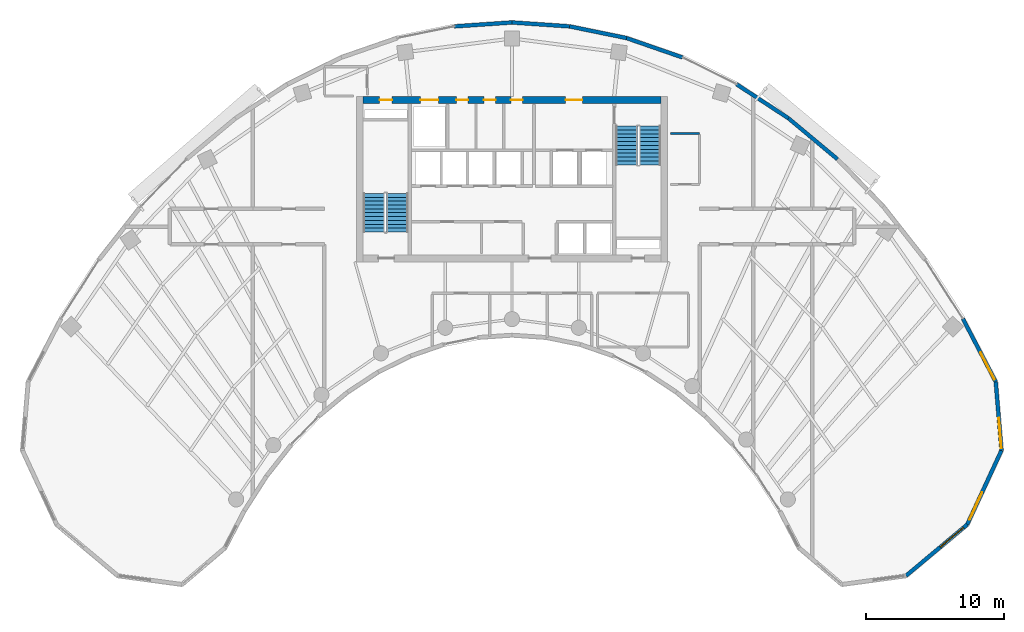
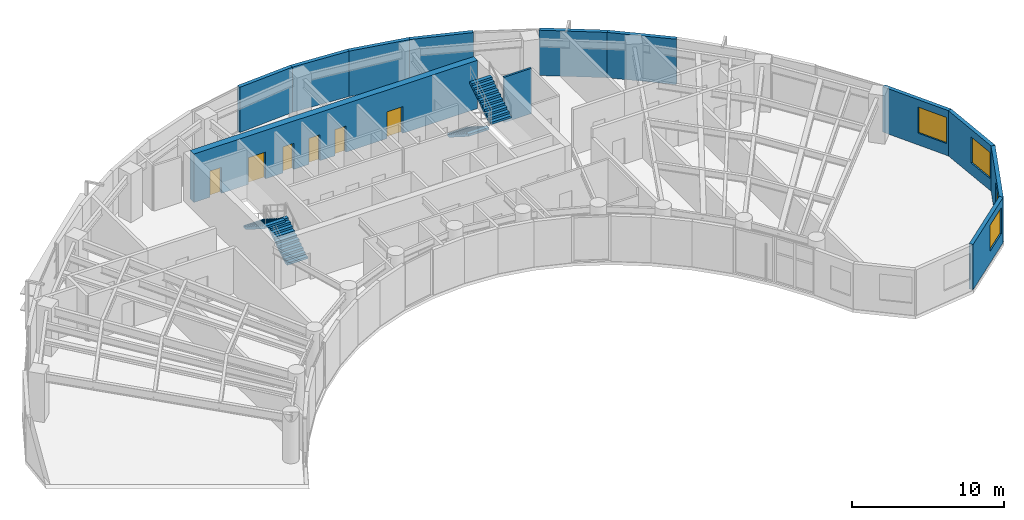
# One storey, part 11 of 14: 12 walls, 6 doors, 4 stair flights, 4 windows, 10 openings, 2 elements without a shape of their own.
"""IFC4 building model written with IfcOpenShell, lengths in metres."""

from ifc_helpers import new_model, si_unit, direction, frame, frame_2d, origin, place, context, subcontext, project, spatial, polyline, rectangle, outline, extrude, source, transform, mapped, material, layer, layer_set, type_object, type_shapes, element, fill, aggregate, save


model = new_model("IFC4")

# Units and contexts
model_context = context("Model", 3, precision=1e-05, world=origin(), true_north=direction((0.0, 1.0)))
body_context = subcontext(model_context, "Body", "Model", "MODEL_VIEW")
ifc_project = project(units=[si_unit("LENGTHUNIT", "METRE"), si_unit("AREAUNIT", "SQUARE_METRE"), si_unit("VOLUMEUNIT", "CUBIC_METRE"), si_unit("PLANEANGLEUNIT", "RADIAN"), si_unit("MASSUNIT", "GRAM", prefix="KILO")], contexts=[model_context])

# Site, building, storey
site_placement = place(None, origin())
site = spatial("IfcSite", under=ifc_project, at=site_placement, CompositionType="ELEMENT")
building_placement = place(site_placement, origin())
building = spatial("IfcBuilding", under=site, at=building_placement, Name="Breltana Convention Tower", CompositionType="ELEMENT")
storey_placement = place(building_placement, frame((0.0, 0.0, 177.89990234375)))
storey = spatial("IfcBuildingStorey", under=building, at=storey_placement, Name="L43", CompositionType="ELEMENT", Elevation=177.89990234375)

# Wall, openings, doors
ifc_material_1 = material(Name="Concrete C60/75", Category="concrete")
ifc_layer_1 = layer(ifc_material_1, 0.5, Name="Concrete C60/75")
ifc_layer_set_1 = layer_set([ifc_layer_1], Name="Concrete C60/75")
wall_type_1 = type_object("IfcWallType", Name="SW-CORE-500", PredefinedType="SHEAR", material=ifc_layer_set_1)
shared_shape_1 = source(origin(), body_context, "Body", "SweptSolid", [
    extrude(rectangle(XDim=21.60009765625, YDim=0.5, at=frame_2d((10.800048828125, 0.0))), origin(), (0.0, 0.0, 1.0), 3.900146484375),
])
wall_1_placement = place(storey_placement, frame((37.199951171875, 71.949951171875, 0.0), z_axis=(0.0, 0.0, 1.0), x_axis=(1.0, 0.0, 0.0)))
wall_1 = element("IfcWall", 1, at=wall_1_placement, inside=storey, type_object=wall_type_1, Name="L43 North Core Shear Wall", PredefinedType="SHEAR", context=body_context, shape_type="MappedRepresentation", body=[
    mapped(shared_shape_1, transform((0.0, 0.0, 0.0), scale=1.0)),
])
opening_1_placement = place(wall_1_placement, frame((1.199951171875, 0.0, 0.0)))
opening_1 = element("IfcOpeningElement", 2, at=opening_1_placement, cuts=wall_1, Name="Opening D-18", PredefinedType="OPENING", context=body_context, shape_type="SweptSolid", body=[
    extrude(rectangle(XDim=0.89990234375, YDim=2.10009765625, at=frame_2d((0.449951171875, 1.050048828125))), frame((0.0, 0.260009765625, 0.0), z_axis=(0.0, -1.0, 0.0), x_axis=(1.0, 0.0, 0.0)), (0.0, 0.0, 1.0), 0.52001953125),
])
opening_2_placement = place(wall_1_placement, frame((14.699951171875, 0.0, 0.0)))
opening_2 = element("IfcOpeningElement", 3, at=opening_2_placement, cuts=wall_1, Name="Opening D-09", PredefinedType="OPENING", context=body_context, shape_type="SweptSolid", body=[
    extrude(rectangle(XDim=1.199951171875, YDim=2.14990234375, at=frame_2d((0.60009765625, 1.074951171875))), frame((0.0, 0.260009765625, 0.0), z_axis=(0.0, -1.0, 0.0), x_axis=(1.0, 0.0, 0.0)), (0.0, 0.0, 1.0), 0.52001953125),
])
opening_3_placement = place(wall_1_placement, frame((4.14990234375, 0.0, 0.0)))
opening_3 = element("IfcOpeningElement", 4, at=opening_3_placement, cuts=wall_1, Name="Opening LD-01", PredefinedType="OPENING", context=body_context, shape_type="SweptSolid", body=[
    extrude(rectangle(XDim=1.300048828125, YDim=2.14990234375, at=frame_2d((0.64990234375, 1.074951171875))), frame((0.0, 0.260009765625, 0.0), z_axis=(0.0, -1.0, 0.0), x_axis=(1.0, 0.0, 0.0)), (0.0, 0.0, 1.0), 0.52001953125),
])
opening_4_placement = place(wall_1_placement, frame((6.760009765625, 0.0, 0.0)))
opening_4 = element("IfcOpeningElement", 5, at=opening_4_placement, cuts=wall_1, Name="Opening D-20", PredefinedType="OPENING", context=body_context, shape_type="SweptSolid", body=[
    extrude(rectangle(XDim=0.85009765625, YDim=2.10009765625, at=frame_2d((0.425048828125, 1.050048828125))), frame((0.0, 0.260009765625, 0.0), z_axis=(0.0, -1.0, 0.0), x_axis=(1.0, 0.0, 0.0)), (0.0, 0.0, 1.0), 0.52001953125),
])
opening_5_placement = place(wall_1_placement, frame((8.760009765625, 0.0, 0.0)))
opening_5 = element("IfcOpeningElement", 6, at=opening_5_placement, cuts=wall_1, Name="Opening D-20", PredefinedType="OPENING", context=body_context, shape_type="SweptSolid", body=[
    extrude(rectangle(XDim=0.85009765625, YDim=2.10009765625, at=frame_2d((0.425048828125, 1.050048828125))), frame((0.0, 0.260009765625, 0.0), z_axis=(0.0, -1.0, 0.0), x_axis=(1.0, 0.0, 0.0)), (0.0, 0.0, 1.0), 0.52001953125),
])
opening_6_placement = place(wall_1_placement, frame((10.72509765625, 0.0, 0.0)))
opening_6 = element("IfcOpeningElement", 7, at=opening_6_placement, cuts=wall_1, Name="Opening D-20", PredefinedType="OPENING", context=body_context, shape_type="SweptSolid", body=[
    extrude(rectangle(XDim=0.85009765625, YDim=2.10009765625, at=frame_2d((0.425048828125, 1.050048828125))), frame((0.0, 0.260009765625, 0.0), z_axis=(0.0, -1.0, 0.0), x_axis=(1.0, 0.0, 0.0)), (0.0, 0.0, 1.0), 0.52001953125),
])
ifc_material_2 = material(Name="Steel Riser Fire Door", Category="steel")
door_type_1 = type_object("IfcDoorType", Name="DR-FD60-900", OperationType="NOTDEFINED", PredefinedType="DOOR", material=ifc_material_2)
shared_shape_2 = source(origin(), body_context, "Body", "SweptSolid", [
    extrude(rectangle(XDim=0.89990234375, YDim=2.10009765625, at=frame_2d((0.449951171875, 1.050048828125))), frame((0.0, 0.02490234375, 0.0), z_axis=(0.0, -1.0, 0.0), x_axis=(1.0, 0.0, 0.0)), (0.0, 0.0, 1.0), 0.050048828125),
])
type_shapes(door_type_1, [shared_shape_2])
door_1_placement = place(opening_1_placement, origin())
door_1 = element("IfcDoor", 8, at=door_1_placement, inside=storey, type_object=door_type_1, Name="L43 Core Riser Access Door D-L43-RS1", OperationType="SINGLE_SWING_LEFT", OverallHeight=2.10009765625, OverallWidth=0.89990234375, PredefinedType="DOOR", context=body_context, shape_type="MappedRepresentation", body=[
    mapped(shared_shape_2, transform((0.0, 0.0, 0.0), scale=1.0)),
])
fill(opening_1, door_1)
ifc_material_3 = material(Name="Steel Fire Lobby Door", Category="steel")
door_type_2 = type_object("IfcDoorType", Name="DR-FD120-1200", OperationType="NOTDEFINED", PredefinedType="DOOR", material=ifc_material_3)
shared_shape_3 = source(origin(), body_context, "Body", "SweptSolid", [
    extrude(rectangle(XDim=1.199951171875, YDim=2.14990234375, at=frame_2d((0.60009765625, 1.074951171875))), frame((0.0, 0.02490234375, 0.0), z_axis=(0.0, -1.0, 0.0), x_axis=(1.0, 0.0, 0.0)), (0.0, 0.0, 1.0), 0.050048828125),
])
type_shapes(door_type_2, [shared_shape_3])
door_2_placement = place(opening_2_placement, origin())
door_2 = element("IfcDoor", 9, at=door_2_placement, inside=storey, type_object=door_type_2, Name="L43 interior door D-L43-FFL-N", OperationType="SINGLE_SWING_RIGHT", OverallHeight=2.14990234375, OverallWidth=1.199951171875, PredefinedType="DOOR", context=body_context, shape_type="MappedRepresentation", body=[
    mapped(shared_shape_3, transform((0.0, 0.0, 0.0), scale=1.0)),
])
fill(opening_2, door_2)
ifc_material_4 = material(Name="Stainless Steel Brushed", Category="steel")
door_type_3 = type_object("IfcDoorType", Name="DR-LD-SRV-1300", OperationType="DOUBLE_DOOR_SLIDING", PredefinedType="DOOR", material=ifc_material_4)
shared_shape_4 = source(origin(), body_context, "Body", "SweptSolid", [
    extrude(rectangle(XDim=1.300048828125, YDim=2.14990234375, at=frame_2d((0.64990234375, 1.074951171875))), frame((0.0, 0.02490234375, 0.0), z_axis=(0.0, -1.0, 0.0), x_axis=(1.0, 0.0, 0.0)), (0.0, 0.0, 1.0), 0.050048828125),
])
type_shapes(door_type_3, [shared_shape_4])
door_3_placement = place(opening_3_placement, origin())
door_3 = element("IfcDoor", 10, at=door_3_placement, inside=storey, type_object=door_type_3, Name="L43 Lift Landing Door D-L43-LD-SV1", OperationType="DOUBLE_DOOR_SLIDING", OverallHeight=2.14990234375, OverallWidth=1.300048828125, PredefinedType="DOOR", context=body_context, shape_type="MappedRepresentation", body=[
    mapped(shared_shape_4, transform((0.0, 0.0, 0.0), scale=1.0)),
])
fill(opening_3, door_3)
ifc_material_5 = material(Name="Steel Closet Fire Door", Category="steel")
door_type_4 = type_object("IfcDoorType", Name="DR-FD60-850", OperationType="NOTDEFINED", PredefinedType="DOOR", material=ifc_material_5)
shared_shape_5 = source(origin(), body_context, "Body", "SweptSolid", [
    extrude(rectangle(XDim=0.85009765625, YDim=2.10009765625, at=frame_2d((0.425048828125, 1.050048828125))), frame((0.0, 0.02490234375, 0.0), z_axis=(0.0, -1.0, 0.0), x_axis=(1.0, 0.0, 0.0)), (0.0, 0.0, 1.0), 0.050048828125),
])
type_shapes(door_type_4, [shared_shape_5])
door_4_placement = place(opening_4_placement, origin())
door_4 = element("IfcDoor", 11, at=door_4_placement, inside=storey, type_object=door_type_4, Name="L43 interior door D-L43-CRA1", OperationType="SINGLE_SWING_LEFT", OverallHeight=2.10009765625, OverallWidth=0.85009765625, PredefinedType="DOOR", context=body_context, shape_type="MappedRepresentation", body=[
    mapped(shared_shape_5, transform((0.0, 0.0, 0.0), scale=1.0)),
])
fill(opening_4, door_4)
door_5_placement = place(opening_5_placement, origin())
door_5 = element("IfcDoor", 12, at=door_5_placement, inside=storey, type_object=door_type_4, Name="L43 interior door D-L43-CRA2", OperationType="SINGLE_SWING_RIGHT", OverallHeight=2.10009765625, OverallWidth=0.85009765625, PredefinedType="DOOR", context=body_context, shape_type="MappedRepresentation", body=[
    mapped(shared_shape_5, transform((0.0, 0.0, 0.0), scale=1.0)),
])
fill(opening_5, door_5)
door_6_placement = place(opening_6_placement, origin())
door_6 = element("IfcDoor", 13, at=door_6_placement, inside=storey, type_object=door_type_4, Name="L43 interior door D-L43-CRA3", OperationType="SINGLE_SWING_LEFT", OverallHeight=2.10009765625, OverallWidth=0.85009765625, PredefinedType="DOOR", context=body_context, shape_type="MappedRepresentation", body=[
    mapped(shared_shape_5, transform((0.0, 0.0, 0.0), scale=1.0)),
])
fill(opening_6, door_6)

# Wall, opening, window
ifc_material_6 = material(Name="Limestone Buff Insulated Wall", Category="masonry")
ifc_layer_2 = layer(ifc_material_6, 0.280029296875, Name="Limestone Buff Insulated Wall")
ifc_layer_set_2 = layer_set([ifc_layer_2], Name="Limestone Buff Insulated Wall")
wall_type_2 = type_object("IfcWallType", Name="WL-EXT-NOSE-280", PredefinedType="SOLIDWALL", material=ifc_layer_set_2)
shared_shape_6 = source(origin(), body_context, "Body", "SweptSolid", [
    extrude(rectangle(XDim=4.994384765625, YDim=0.280029296875, at=frame_2d((2.4970703125, 0.0))), origin(), (0.0, 0.0, 1.0), 3.650146484375),
])
wall_2_placement = place(storey_placement, frame((83.102294921875, 51.48876953125, 0.0), z_axis=(0.0, 0.0, 1.0), x_axis=(0.083344839916, -0.996520766296, 0.0)))
wall_2 = element("IfcWall", 14, at=wall_2_placement, inside=storey, type_object=wall_type_2, Name="L43 curved limestone nose wall E1", PredefinedType="SOLIDWALL", context=body_context, shape_type="MappedRepresentation", body=[
    mapped(shared_shape_6, transform((0.0, 0.0, 0.0), scale=1.0)),
])
opening_7_placement = place(wall_2_placement, frame((2.634521484375, 0.0, 0.949951171875)))
opening_7 = element("IfcOpeningElement", 15, at=opening_7_placement, cuts=wall_2, Name="Opening W-03", PredefinedType="OPENING", context=body_context, shape_type="SweptSolid", body=[
    extrude(rectangle(XDim=2.199951171875, YDim=2.10009765625, at=frame_2d((1.10009765625, 1.050048828125))), frame((0.0, 0.14990234375, 0.0), z_axis=(0.0, -1.0, 0.0), x_axis=(1.0, 0.0, 0.0)), (0.0, 0.0, 1.0), 0.300048828125),
])
ifc_material_7 = material(Name="Glass Low-E Insulated Window", Category="glass")
window_type = type_object("IfcWindowType", Name="WN-NOSE-2200X2100", PartitioningType="TRIPLE_PANEL_VERTICAL", PredefinedType="WINDOW", material=ifc_material_7)
shared_shape_7 = source(origin(), body_context, "Body", "SweptSolid", [
    extrude(rectangle(XDim=2.199951171875, YDim=2.10009765625, at=frame_2d((1.10009765625, 1.050048828125))), frame((0.0, 0.030029296875, 0.0), z_axis=(0.0, -1.0, 0.0), x_axis=(1.0, 0.0, 0.0)), (0.0, 0.0, 1.0), 0.06005859375),
])
type_shapes(window_type, [shared_shape_7])
window_1_placement = place(opening_7_placement, origin())
window_1 = element("IfcWindow", 16, at=window_1_placement, inside=storey, type_object=window_type, Name="L43 nose window E1", OverallHeight=2.10009765625, OverallWidth=2.199951171875, PartitioningType="TRIPLE_PANEL_VERTICAL", PredefinedType="WINDOW", context=body_context, shape_type="MappedRepresentation", body=[
    mapped(shared_shape_7, transform((0.0, 0.0, 0.0), scale=1.0)),
])
fill(opening_7, window_1)

shared_shape_8 = source(origin(), body_context, "Body", "SweptSolid", [
    extrude(rectangle(XDim=5.927490234375, YDim=0.280029296875, at=frame_2d((2.9638671875, 0.0))), origin(), (0.0, 0.0, 1.0), 3.650146484375),
])
wall_3_placement = place(storey_placement, frame((83.5185546875, 46.51171875, 0.0), z_axis=(0.0, 0.0, 1.0), x_axis=(-0.419656204795, -0.907683132914, 0.0)))
wall_3 = element("IfcWall", 17, at=wall_3_placement, inside=storey, type_object=wall_type_2, Name="L43 curved limestone nose wall E2", PredefinedType="SOLIDWALL", context=body_context, shape_type="MappedRepresentation", body=[
    mapped(shared_shape_8, transform((0.0, 0.0, 0.0), scale=1.0)),
])
opening_8_placement = place(wall_3_placement, frame((3.345703125, 0.0, 0.949951171875)))
opening_8 = element("IfcOpeningElement", 18, at=opening_8_placement, cuts=wall_3, Name="Opening W-03", PredefinedType="OPENING", context=body_context, shape_type="SweptSolid", body=[
    extrude(rectangle(XDim=2.199951171875, YDim=2.10009765625, at=frame_2d((1.10009765625, 1.050048828125))), frame((0.0, 0.14990234375, 0.0), z_axis=(0.0, -1.0, 0.0), x_axis=(1.0, 0.0, 0.0)), (0.0, 0.0, 1.0), 0.300048828125),
])
window_2_placement = place(opening_8_placement, origin())
window_2 = element("IfcWindow", 19, at=window_2_placement, inside=storey, type_object=window_type, Name="L43 nose window E2", OverallHeight=2.10009765625, OverallWidth=2.199951171875, PartitioningType="TRIPLE_PANEL_VERTICAL", PredefinedType="WINDOW", context=body_context, shape_type="MappedRepresentation", body=[
    mapped(shared_shape_7, transform((0.0, 0.0, 0.0), scale=1.0)),
])
fill(opening_8, window_2)

shared_shape_9 = source(origin(), body_context, "Body", "SweptSolid", [
    extrude(rectangle(XDim=5.786376953125, YDim=0.280029296875, at=frame_2d((2.89306640625, 0.0))), origin(), (0.0, 0.0, 1.0), 3.650146484375),
])
wall_4_placement = place(storey_placement, frame((81.031005859375, 41.13134765625, 0.0), z_axis=(0.0, 0.0, 1.0), x_axis=(-0.766711306852, -0.641992034176, 0.0)))
wall_4 = element("IfcWall", 20, at=wall_4_placement, inside=storey, type_object=wall_type_2, Name="L43 curved limestone nose wall E3", PredefinedType="SOLIDWALL", context=body_context, shape_type="MappedRepresentation", body=[
    mapped(shared_shape_9, transform((0.0, 0.0, 0.0), scale=1.0)),
])
opening_9_placement = place(wall_4_placement, frame((0.3466796875, 0.0, 0.949951171875)))
opening_9 = element("IfcOpeningElement", 21, at=opening_9_placement, cuts=wall_4, Name="Opening W-03", PredefinedType="OPENING", context=body_context, shape_type="SweptSolid", body=[
    extrude(rectangle(XDim=2.199951171875, YDim=2.10009765625, at=frame_2d((1.10009765625, 1.050048828125))), frame((0.0, 0.14990234375, 0.0), z_axis=(0.0, -1.0, 0.0), x_axis=(1.0, 0.0, 0.0)), (0.0, 0.0, 1.0), 0.300048828125),
])
window_3_placement = place(opening_9_placement, origin())
window_3 = element("IfcWindow", 22, at=window_3_placement, inside=storey, type_object=window_type, Name="L43 nose window E3", OverallHeight=2.10009765625, OverallWidth=2.199951171875, PartitioningType="TRIPLE_PANEL_VERTICAL", PredefinedType="WINDOW", context=body_context, shape_type="MappedRepresentation", body=[
    mapped(shared_shape_7, transform((0.0, 0.0, 0.0), scale=1.0)),
])
fill(opening_9, window_3)

shared_shape_10 = source(origin(), body_context, "Body", "SweptSolid", [
    extrude(rectangle(XDim=5.1708984375, YDim=0.280029296875, at=frame_2d((2.58544921875, 0.0))), origin(), (0.0, 0.0, 1.0), 3.650146484375),
])
wall_5_placement = place(storey_placement, frame((80.714599609375, 56.075439453125, 0.0), z_axis=(0.0, 0.0, 1.0), x_axis=(0.461752581363, -0.887008767491, 0.0)))
wall_5 = element("IfcWall", 23, at=wall_5_placement, inside=storey, type_object=wall_type_2, Name="L43 curved limestone nose wall E33", PredefinedType="SOLIDWALL", context=body_context, shape_type="MappedRepresentation", body=[
    mapped(shared_shape_10, transform((0.0, 0.0, 0.0), scale=1.0)),
])
opening_10_placement = place(wall_5_placement, frame((2.7783203125, 0.0, 0.949951171875)))
opening_10 = element("IfcOpeningElement", 24, at=opening_10_placement, cuts=wall_5, Name="Opening W-03", PredefinedType="OPENING", context=body_context, shape_type="SweptSolid", body=[
    extrude(rectangle(XDim=2.199951171875, YDim=2.10009765625, at=frame_2d((1.10009765625, 1.050048828125))), frame((0.0, 0.14990234375, 0.0), z_axis=(0.0, -1.0, 0.0), x_axis=(1.0, 0.0, 0.0)), (0.0, 0.0, 1.0), 0.300048828125),
])
window_4_placement = place(opening_10_placement, origin())
window_4 = element("IfcWindow", 25, at=window_4_placement, inside=storey, type_object=window_type, Name="L43 nose window E33", OverallHeight=2.10009765625, OverallWidth=2.199951171875, PartitioningType="TRIPLE_PANEL_VERTICAL", PredefinedType="WINDOW", context=body_context, shape_type="MappedRepresentation", body=[
    mapped(shared_shape_7, transform((0.0, 0.0, 0.0), scale=1.0)),
])
fill(opening_10, window_4)

# Walls
shared_shape_11 = source(origin(), body_context, "Body", "SweptSolid", [
    extrude(rectangle(XDim=4.633544921875, YDim=0.280029296875, at=frame_2d((2.31689453125, 0.0))), origin(), (0.0, 0.0, 1.0), 3.650146484375),
])
wall_6_placement = place(storey_placement, frame((68.060791015625, 70.610107421875, 0.0), z_axis=(0.0, 0.0, 1.0), x_axis=(0.767910229096, -0.640557475993, 0.0)))
element("IfcWall", 26, at=wall_6_placement, inside=storey, type_object=wall_type_2, Name="L43 curved limestone nose wall E30", PredefinedType="SOLIDWALL", context=body_context, shape_type="MappedRepresentation", body=[
    mapped(shared_shape_11, transform((0.0, 0.0, 0.0), scale=1.0)),
])
shared_shape_12 = source(origin(), body_context, "Body", "SweptSolid", [
    extrude(rectangle(XDim=4.500732421875, YDim=0.280029296875, at=frame_2d((2.25048828125, 0.0))), origin(), (0.0, 0.0, 1.0), 3.650146484375),
])
wall_7_placement = place(storey_placement, frame((64.29833984375, 73.079833984375, 0.0), z_axis=(0.0, 0.0, 1.0), x_axis=(0.835984920737, -0.548752414391, 0.0)))
element("IfcWall", 27, at=wall_7_placement, inside=storey, type_object=wall_type_2, Name="L43 curved limestone nose wall E29", PredefinedType="SOLIDWALL", context=body_context, shape_type="MappedRepresentation", body=[
    mapped(shared_shape_12, transform((0.0, 0.0, 0.0), scale=1.0)),
])
shared_shape_13 = source(origin(), body_context, "Body", "SweptSolid", [
    extrude(rectangle(XDim=4.289794921875, YDim=0.280029296875, at=frame_2d((2.14501953125, 0.0))), origin(), (0.0, 0.0, 1.0), 3.650146484375),
])
wall_8_placement = place(storey_placement, frame((56.31689453125, 76.431396484375, 0.0), z_axis=(0.0, 0.0, 1.0), x_axis=(0.944883859218, -0.3274057003, 0.0)))
element("IfcWall", 28, at=wall_8_placement, inside=storey, type_object=wall_type_2, Name="L43 curved limestone nose wall E28", PredefinedType="SOLIDWALL", context=body_context, shape_type="MappedRepresentation", body=[
    mapped(shared_shape_13, transform((0.0, 0.0, 0.0), scale=1.0)),
])
shared_shape_14 = source(origin(), body_context, "Body", "SweptSolid", [
    extrude(rectangle(XDim=4.223388671875, YDim=0.280029296875, at=frame_2d((2.11181640625, 0.0))), origin(), (0.0, 0.0, 1.0), 3.650146484375),
])
wall_9_placement = place(storey_placement, frame((52.1796875, 77.27978515625, 0.0), z_axis=(0.0, 0.0, 1.0), x_axis=(0.979615245085, -0.200882979858, 0.0)))
element("IfcWall", 29, at=wall_9_placement, inside=storey, type_object=wall_type_2, Name="L43 curved limestone nose wall E27", PredefinedType="SOLIDWALL", context=body_context, shape_type="MappedRepresentation", body=[
    mapped(shared_shape_14, transform((0.0, 0.0, 0.0), scale=1.0)),
])
shared_shape_15 = source(origin(), body_context, "Body", "SweptSolid", [
    extrude(rectangle(XDim=4.189208984375, YDim=0.280029296875, at=frame_2d((2.0947265625, 0.0))), origin(), (0.0, 0.0, 1.0), 3.650146484375),
])
for number, where, z_axis, x_axis, name in (
    (30, (43.8203125, 77.27978515625, 0.0), (0.0, 0.0, 1.0), (0.997700560699, 0.067776036921, 0.0), "L43 curved limestone nose wall E25"),
    (31, (48.0, 77.563720703125, 0.0), (0.0, 0.0, 1.0), (0.997700560699, -0.067776036921, 0.0), "L43 curved limestone nose wall E26"),
):
    element("IfcWall", number, at=place(storey_placement, frame(where, z_axis=z_axis, x_axis=x_axis)), inside=storey, type_object=wall_type_2, Name=name, PredefinedType="SOLIDWALL", context=body_context, shape_type="MappedRepresentation", body=[
        mapped(shared_shape_15, transform((0.0, 0.0, 0.0), scale=1.0)),
    ])
ifc_material_8 = material(Name="Gypsum Acoustic Drywall Partition")
ifc_layer_3 = layer(ifc_material_8, 0.14990234375, Name="Gypsum Acoustic Drywall Partition")
ifc_layer_set_3 = layer_set([ifc_layer_3], Name="Gypsum Acoustic Drywall Partition")
wall_type_3 = type_object("IfcWallType", Name="WL-PART-150", PredefinedType="PARTITIONING", material=ifc_layer_set_3)
shared_shape_16 = source(origin(), body_context, "Body", "SweptSolid", [
    extrude(rectangle(XDim=2.10009765625, YDim=0.14990234375, at=frame_2d((1.050048828125, 0.0))), origin(), (0.0, 0.0, 1.0), 3.650146484375),
])
wall_10_placement = place(storey_placement, frame((59.5, 69.5, 0.0), z_axis=(0.0, 0.0, 1.0), x_axis=(1.0, 0.0, 0.0)))
element("IfcWall", 32, at=wall_10_placement, inside=storey, type_object=wall_type_3, Name="L43 interior partition W-L43-CRSE-N", PredefinedType="PARTITIONING", context=body_context, shape_type="MappedRepresentation", body=[
    mapped(shared_shape_16, transform((0.0, 0.0, 0.0), scale=1.0)),
])

# Stair, stair flights
ifc_material_9 = material(Name="Concrete C40/50", Category="concrete")
stair_type = type_object("IfcStairType", Name="ST-DOG-1560-R177", PredefinedType="HALF_TURN_STAIR", material=ifc_material_9)
stair_1_placement = place(storey_placement, origin())
stair_1 = element("IfcStair", 33, at=stair_1_placement, inside=storey, type_object=stair_type, Name="L43 Protected Core Exit Stair ST-1", PredefinedType="HALF_TURN_STAIR")
stair_flight_type = type_object("IfcStairFlightType", Name="STF-DOG-1560-N11-R177", PredefinedType="STRAIGHT", material=ifc_material_9)
stair_flight_1_placement = place(storey_placement, frame((39.68994140625, 62.360107421875, 0.0), z_axis=(0.0, 0.0, 1.0), x_axis=(0.0, 1.0, 0.0)))
stair_flight_1 = element("IfcStairFlight", 34, at=stair_flight_1_placement, type_object=stair_flight_type, Name="ST-1 flight 1", NumberOfRisers=11, NumberOfTreads=10, PredefinedType="STRAIGHT", RiserHeight=0.177272727, TreadLength=0.28, context=body_context, shape_type="SweptSolid", body=[
    extrude(outline(polyline([(0.0, 0.0), (0.0, 0.17724609375), (0.280029296875, 0.17724609375), (0.280029296875, 0.3544921875), (0.56005859375, 0.3544921875), (0.56005859375, 0.53173828125), (0.840087890625, 0.53173828125), (0.840087890625, 0.708984375), (1.1201171875, 0.708984375), (1.1201171875, 0.886474609375), (1.39990234375, 0.886474609375), (1.39990234375, 1.063720703125), (1.679931640625, 1.063720703125), (1.679931640625, 1.240966796875), (1.9599609375, 1.240966796875), (1.9599609375, 1.418212890625), (2.239990234375, 1.418212890625), (2.239990234375, 1.595458984375), (2.52001953125, 1.595458984375), (2.52001953125, 1.772705078125), (2.800048828125, 1.772705078125), (2.800048828125, 1.949951171875), (2.800048828125, 1.59521484375), (0.2802734375, 0.0), (0.0, 0.0)])), frame((0.0, 0.780029296875, 0.0), z_axis=(0.0, -1.0, 0.0), x_axis=(1.0, 0.0, 0.0)), (0.0, 0.0, 1.0), 1.56005859375),
])
stair_flight_2_placement = place(storey_placement, frame((37.97998046875, 65.159912109375, 1.9501953125), z_axis=(0.0, 0.0, 1.0), x_axis=(0.0, -1.0, 0.0)))
stair_flight_2 = element("IfcStairFlight", 35, at=stair_flight_2_placement, type_object=stair_flight_type, Name="ST-1 flight 2", NumberOfRisers=11, NumberOfTreads=10, PredefinedType="STRAIGHT", RiserHeight=0.177272727, TreadLength=0.28, context=body_context, shape_type="SweptSolid", body=[
    extrude(outline(polyline([(0.0, 0.0), (0.0, 0.17724609375), (0.280029296875, 0.17724609375), (0.280029296875, 0.3544921875), (0.56005859375, 0.3544921875), (0.56005859375, 0.53173828125), (0.840087890625, 0.53173828125), (0.840087890625, 0.708984375), (1.1201171875, 0.708984375), (1.1201171875, 0.886474609375), (1.39990234375, 0.886474609375), (1.39990234375, 1.063720703125), (1.679931640625, 1.063720703125), (1.679931640625, 1.240966796875), (1.9599609375, 1.240966796875), (1.9599609375, 1.418212890625), (2.239990234375, 1.418212890625), (2.239990234375, 1.595458984375), (2.52001953125, 1.595458984375), (2.52001953125, 1.772705078125), (2.800048828125, 1.772705078125), (2.800048828125, 1.949951171875), (2.800048828125, 1.59521484375), (0.2802734375, 0.0), (0.0, 0.0)])), frame((0.0, 0.780029296875, 0.0), z_axis=(0.0, -1.0, 0.0), x_axis=(1.0, 0.0, 0.0)), (0.0, 0.0, 1.0), 1.56005859375),
])
aggregate(stair_1, [stair_flight_1, stair_flight_2])

stair_2_placement = place(storey_placement, origin())
stair_2 = element("IfcStair", 36, at=stair_2_placement, inside=storey, type_object=stair_type, Name="L43 Protected Core Exit Stair ST-2", PredefinedType="HALF_TURN_STAIR")
stair_flight_3_placement = place(storey_placement, frame((56.31005859375, 70.0400390625, 0.0), z_axis=(0.0, 0.0, 1.0), x_axis=(0.0, -1.0, 0.0)))
stair_flight_3 = element("IfcStairFlight", 37, at=stair_flight_3_placement, type_object=stair_flight_type, Name="ST-2 flight 1", NumberOfRisers=11, NumberOfTreads=10, PredefinedType="STRAIGHT", RiserHeight=0.177272727, TreadLength=0.28, context=body_context, shape_type="SweptSolid", body=[
    extrude(outline(polyline([(0.0, 0.0), (0.0, 0.17724609375), (0.280029296875, 0.17724609375), (0.280029296875, 0.3544921875), (0.56005859375, 0.3544921875), (0.56005859375, 0.53173828125), (0.840087890625, 0.53173828125), (0.840087890625, 0.708984375), (1.1201171875, 0.708984375), (1.1201171875, 0.886474609375), (1.39990234375, 0.886474609375), (1.39990234375, 1.063720703125), (1.679931640625, 1.063720703125), (1.679931640625, 1.240966796875), (1.9599609375, 1.240966796875), (1.9599609375, 1.418212890625), (2.239990234375, 1.418212890625), (2.239990234375, 1.595458984375), (2.52001953125, 1.595458984375), (2.52001953125, 1.772705078125), (2.800048828125, 1.772705078125), (2.800048828125, 1.949951171875), (2.800048828125, 1.59521484375), (0.2802734375, 0.0), (0.0, 0.0)])), frame((0.0, 0.780029296875, 0.0), z_axis=(0.0, -1.0, 0.0), x_axis=(1.0, 0.0, 0.0)), (0.0, 0.0, 1.0), 1.56005859375),
])
stair_flight_4_placement = place(storey_placement, frame((58.02001953125, 67.239990234375, 1.9501953125), z_axis=(0.0, 0.0, 1.0), x_axis=(0.0, 1.0, 0.0)))
stair_flight_4 = element("IfcStairFlight", 38, at=stair_flight_4_placement, type_object=stair_flight_type, Name="ST-2 flight 2", NumberOfRisers=11, NumberOfTreads=10, PredefinedType="STRAIGHT", RiserHeight=0.177272727, TreadLength=0.28, context=body_context, shape_type="SweptSolid", body=[
    extrude(outline(polyline([(0.0, 0.0), (0.0, 0.17724609375), (0.280029296875, 0.17724609375), (0.280029296875, 0.3544921875), (0.56005859375, 0.3544921875), (0.56005859375, 0.53173828125), (0.840087890625, 0.53173828125), (0.840087890625, 0.708984375), (1.1201171875, 0.708984375), (1.1201171875, 0.886474609375), (1.39990234375, 0.886474609375), (1.39990234375, 1.063720703125), (1.679931640625, 1.063720703125), (1.679931640625, 1.240966796875), (1.9599609375, 1.240966796875), (1.9599609375, 1.418212890625), (2.239990234375, 1.418212890625), (2.239990234375, 1.595458984375), (2.52001953125, 1.595458984375), (2.52001953125, 1.772705078125), (2.800048828125, 1.772705078125), (2.800048828125, 1.949951171875), (2.800048828125, 1.59521484375), (0.2802734375, 0.0), (0.0, 0.0)])), frame((0.0, 0.780029296875, 0.0), z_axis=(0.0, -1.0, 0.0), x_axis=(1.0, 0.0, 0.0)), (0.0, 0.0, 1.0), 1.56005859375),
])
aggregate(stair_2, [stair_flight_3, stair_flight_4])

save(model, "model.ifc")
